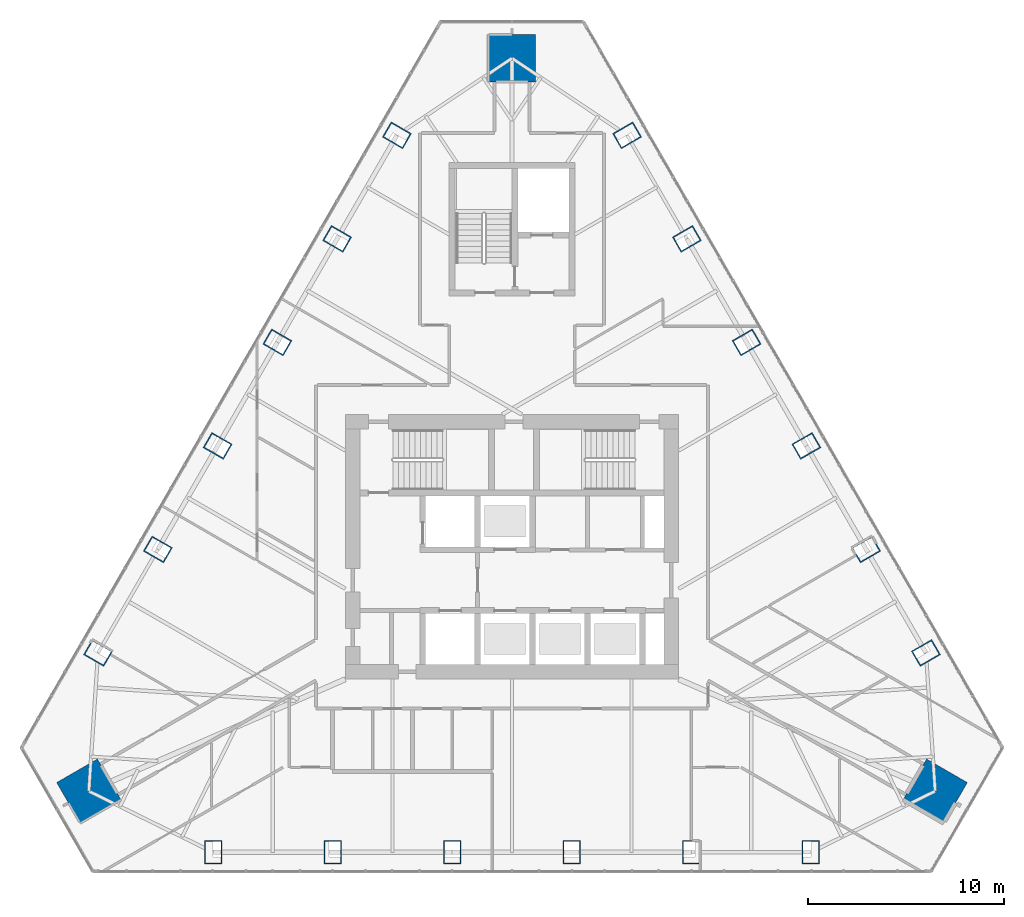
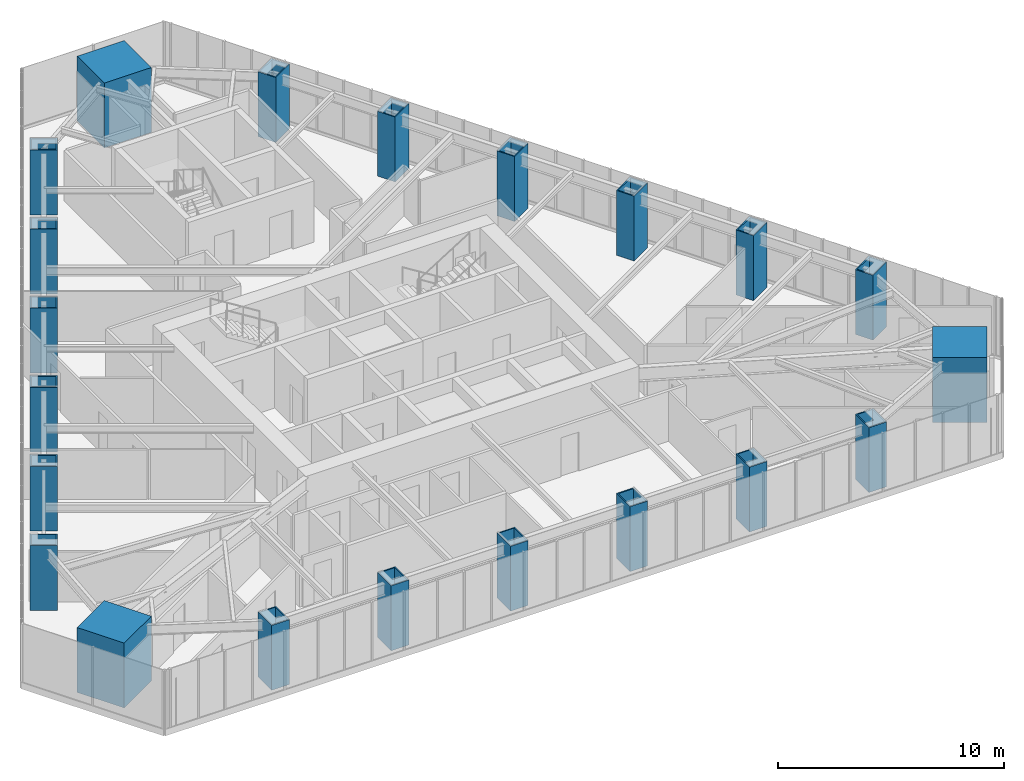
# One storey, part 1 of 20: 21 columns.
"""IFC4 building model written with IfcOpenShell, lengths in metres."""

from ifc_helpers import new_model, si_unit, direction, frame, origin, origin_2d, place, context, subcontext, project, spatial, rectangle, hollow_rectangle, extrude, material, material_profile, profile_set, type_object, element, save


model = new_model("IFC4")

# Units and contexts
model_context = context("Model", 3, precision=1e-05, world=origin(), true_north=direction((0.0, 1.0)))
body_context = subcontext(model_context, "Body", "Model", "MODEL_VIEW")
ifc_project = project(units=[si_unit("LENGTHUNIT", "METRE"), si_unit("AREAUNIT", "SQUARE_METRE"), si_unit("VOLUMEUNIT", "CUBIC_METRE"), si_unit("PLANEANGLEUNIT", "RADIAN"), si_unit("MASSUNIT", "GRAM", prefix="KILO")], contexts=[model_context])

# Site, building, storey
site_placement = place(None, origin())
site = spatial("IfcSite", under=ifc_project, at=site_placement, CompositionType="ELEMENT")
building_placement = place(site_placement, origin())
building = spatial("IfcBuilding", under=site, at=building_placement, Name="Firuza Gate Tower and Library", CompositionType="ELEMENT")
storey_placement = place(building_placement, frame((0.0, 0.0, 305.60009765625)))
storey = spatial("IfcBuildingStorey", under=building, at=storey_placement, Name="L74", CompositionType="ELEMENT", Elevation=305.60009765625)

# Columns
ifc_material_1 = material(Name="Steel S355", Category="steel")
ifc_material_profile_1 = material_profile(ifc_material_1, hollow_rectangle(XDim=0.89990234375, YDim=1.199951171875, WallThickness=0.06005859375, at=origin_2d()))
ifc_profile_set_1 = profile_set([ifc_material_profile_1], Name="Steel S355")
column_type_1 = type_object("IfcColumnType", Name="BU1200x900x60 Composite box column", PredefinedType="COLUMN", material=ifc_profile_set_1)
for number, where, z_axis, x_axis, name in (
    (1, (59.760009765625, 59.4248046875, -0.00048828125), (0.0, 0.0, 1.0), (1.0, 0.0, 0.0), "Column S1 L74"),
    (2, (65.85595703125, 59.4248046875, -0.00048828125), (0.0, 0.0, 1.0), (1.0, 0.0, 0.0), "Column S2 L74"),
    (3, (71.951904296875, 59.4248046875, -0.00048828125), (0.0, 0.0, 1.0), (1.0, 0.0, 0.0), "Column S3 L74"),
    (4, (78.048095703125, 59.4248046875, -0.00048828125), (0.0, 0.0, 1.0), (1.0, 0.0, 0.0), "Column S4 L74"),
    (5, (84.14404296875, 59.4248046875, -0.00048828125), (0.0, 0.0, 1.0), (1.0, 0.0, 0.0), "Column S5 L74"),
    (6, (90.239990234375, 59.4248046875, -0.00048828125), (0.0, 0.0, 1.0), (1.0, 0.0, 0.0), "Column S6 L74"),
    (7, (96.108642578125, 69.58935546875, -0.00048828125), (0.0, 0.0, 1.0), (-0.5, 0.866025403784, 0.0), "Column E1 L74"),
    (8, (93.060546875, 74.86865234375, -0.00048828125), (0.0, 0.0, 1.0), (-0.5, 0.866025403784, 0.0), "Column E2 L74"),
    (9, (90.0126953125, 80.14794921875, -0.00048828125), (0.0, 0.0, 1.0), (-0.5, 0.866025403784, 0.0), "Column E3 L74"),
    (10, (86.964599609375, 85.42724609375, -0.00048828125), (0.0, 0.0, 1.0), (-0.5, 0.866025403784, 0.0), "Column E4 L74"),
    (11, (83.91650390625, 90.70654296875, -0.00048828125), (0.0, 0.0, 1.0), (-0.5, 0.866025403784, 0.0), "Column E5 L74"),
    (12, (80.86865234375, 95.98583984375, -0.00048828125), (0.0, 0.0, 1.0), (-0.5, 0.866025403784, 0.0), "Column E6 L74"),
    (13, (69.13134765625, 95.98583984375, -0.00048828125), (0.0, 0.0, 1.0), (-0.5, -0.866025403784, 0.0), "Column W1 L74"),
    (14, (66.08349609375, 90.70654296875, -0.00048828125), (0.0, 0.0, 1.0), (-0.5, -0.866025403784, 0.0), "Column W2 L74"),
    (15, (63.035400390625, 85.42724609375, -0.00048828125), (0.0, 0.0, 1.0), (-0.5, -0.866025403784, 0.0), "Column W3 L74"),
    (16, (59.9873046875, 80.14794921875, -0.00048828125), (0.0, 0.0, 1.0), (-0.5, -0.866025403784, 0.0), "Column W4 L74"),
    (17, (56.939453125, 74.86865234375, -0.00048828125), (0.0, 0.0, 1.0), (-0.5, -0.866025403784, 0.0), "Column W5 L74"),
    (18, (53.891357421875, 69.58935546875, -0.00048828125), (0.0, 0.0, 1.0), (-0.5, -0.866025403784, 0.0), "Column W6 L74"),
):
    element("IfcColumn", number, at=place(storey_placement, frame(where, z_axis=z_axis, x_axis=x_axis)), inside=storey, type_object=column_type_1, Name=name, PredefinedType="COLUMN", context=body_context, shape_type="SweptSolid", body=[
        extrude(hollow_rectangle(XDim=0.89990234375, YDim=1.199951171875, WallThickness=0.06005859375, at=origin_2d()), origin(), (0.0, 0.0, 1.0), 3.50048828125),
    ])
ifc_material_2 = material(Name="Concrete C80/95", Category="concrete")
ifc_material_profile_2 = material_profile(ifc_material_2, rectangle(XDim=2.39990234375, YDim=2.39990234375, at=origin_2d()))
ifc_profile_set_2 = profile_set([ifc_material_profile_2], Name="Concrete C80/95")
column_type_2 = type_object("IfcColumnType", Name="Mega column 2400x2400 C80/95", PredefinedType="COLUMN", material=ifc_profile_set_2)
for number, where, z_axis, x_axis, name in (
    (19, (96.5771484375, 62.54248046875, 0.0), (0.0, 0.0, 1.0), (0.5, 0.866025403784, 0.0), "Mega column SE L74"),
    (20, (75.0, 99.9150390625, 0.0), (0.0, 0.0, 1.0), (-1.0, 0.0, 0.0), "Mega column N L74"),
    (21, (53.4228515625, 62.54248046875, 0.0), (0.0, 0.0, 1.0), (0.5, -0.866025403784, 0.0), "Mega column SW L74"),
):
    element("IfcColumn", number, at=place(storey_placement, frame(where, z_axis=z_axis, x_axis=x_axis)), inside=storey, type_object=column_type_2, Name=name, PredefinedType="COLUMN", context=body_context, shape_type="SweptSolid", body=[
        extrude(rectangle(XDim=2.39990234375, YDim=2.39990234375, at=origin_2d()), origin(), (0.0, 0.0, 1.0), 3.5),
    ])

save(model, "model.ifc")
